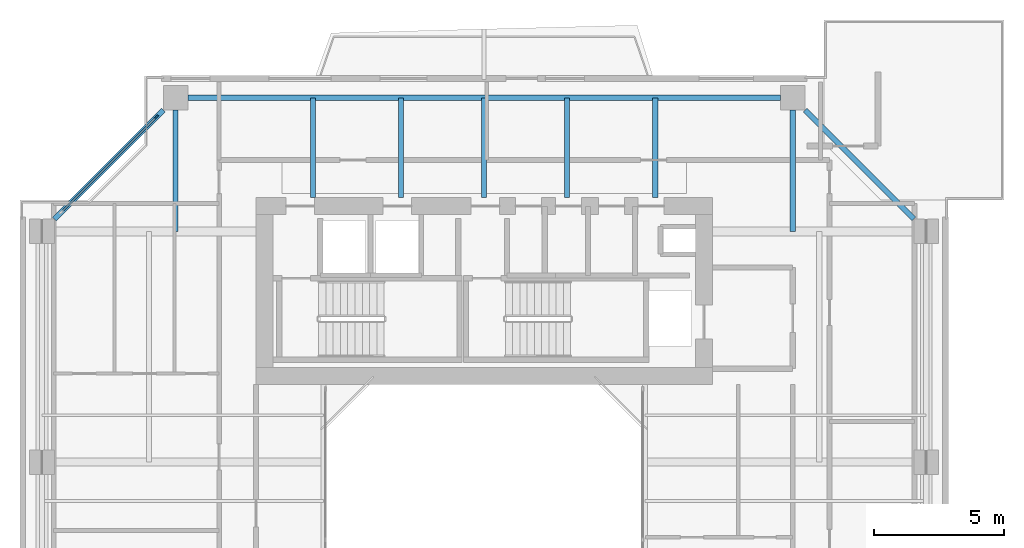
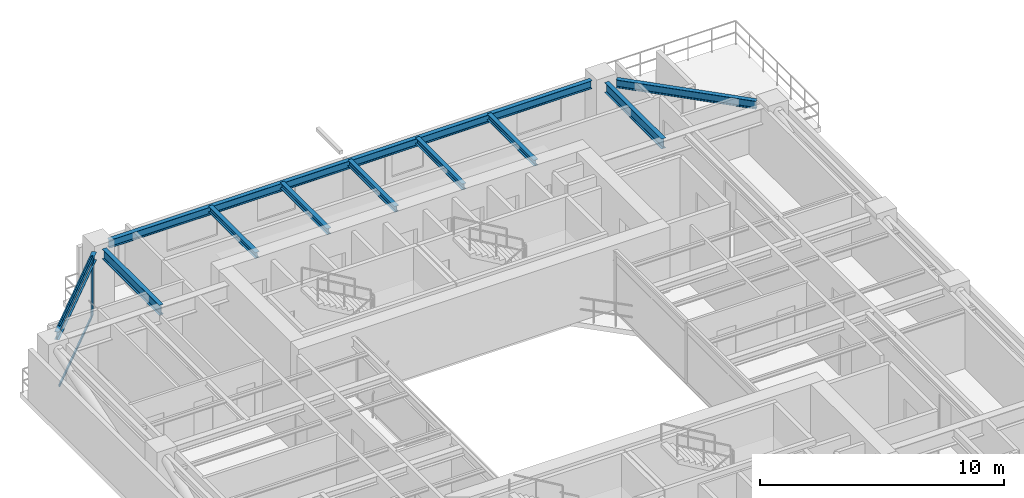
# One storey, part 6 of 14: 10 beams, 3 members, 1 element without a shape of its own.
"""IFC4 building model written with IfcOpenShell, lengths in metres."""

from ifc_helpers import new_model, si_unit, direction, frame, origin, origin_2d, place, context, subcontext, project, spatial, rectangle, i_section, extrude, source, transform, mapped, material, layer, layer_set, material_profile, profile_set, type_object, element, aggregate, save


model = new_model("IFC4")

# Units and contexts
model_context = context("Model", 3, precision=1e-05, world=origin(), true_north=direction((0.0, 1.0)))
body_context = subcontext(model_context, "Body", "Model", "MODEL_VIEW")
ifc_project = project(units=[si_unit("LENGTHUNIT", "METRE"), si_unit("AREAUNIT", "SQUARE_METRE"), si_unit("VOLUMEUNIT", "CUBIC_METRE"), si_unit("PLANEANGLEUNIT", "RADIAN"), si_unit("MASSUNIT", "GRAM", prefix="KILO"), si_unit("THERMODYNAMICTEMPERATUREUNIT", "KELVIN"), si_unit("POWERUNIT", "WATT")], contexts=[model_context])

# Site, building, storey
site_placement = place(None, origin())
site = spatial("IfcSite", under=ifc_project, at=site_placement, CompositionType="ELEMENT")
building_placement = place(site_placement, origin())
building = spatial("IfcBuilding", under=site, at=building_placement, Name="Qiaomeng Ring Towers", CompositionType="ELEMENT")
storey_placement = place(building_placement, frame((0.0, 0.0, 173.0)))
storey = spatial("IfcBuildingStorey", under=building, at=storey_placement, Name="L50", CompositionType="ELEMENT", Elevation=173.0)

# Beams
ifc_material_1 = material(Name="Steel Q355B", Category="steel")
ifc_material_profile_1 = material_profile(ifc_material_1, i_section(OverallWidth=0.199951171875, OverallDepth=0.2939453125, WebThickness=0.008056640625, FlangeThickness=0.011962890625, FilletRadius=0.01806640625, at=origin_2d()), Name="HM 294x200x8x12")
ifc_profile_set_1 = profile_set([ifc_material_profile_1], Name="Steel Q355B")
beam_type_1 = type_object("IfcBeamType", Name="STR-BM-HM294", PredefinedType="JOIST", material=ifc_profile_set_1)
shared_shape_1 = source(origin(), body_context, "Body", "SweptSolid", [
    extrude(i_section(OverallWidth=0.199951171875, OverallDepth=0.2939453125, WebThickness=0.008056640625, FlangeThickness=0.011962890625, FilletRadius=0.01806640625, at=origin_2d()), origin(), (0.0, 0.0, 1.0), 3.85009765625),
])
for number, where, z_axis, x_axis, name in (
    (1, (12.39990234375, 36.199951171875, 2.85302734375), (0.0, 1.0, 0.0), (-1.0, 0.0, 0.0), "L50 beam STR-JST-L50-T1N-1"),
    (2, (15.800048828125, 36.199951171875, 2.85302734375), (0.0, 1.0, 0.0), (-1.0, 0.0, 0.0), "L50 beam STR-JST-L50-T1N-2"),
    (3, (19.0, 36.199951171875, 2.85302734375), (0.0, 1.0, 0.0), (-1.0, 0.0, 0.0), "L50 beam STR-JST-L50-T1N-3"),
    (4, (22.199951171875, 36.199951171875, 2.85302734375), (0.0, 1.0, 0.0), (-1.0, 0.0, 0.0), "L50 beam STR-JST-L50-T1N-4"),
    (5, (25.60009765625, 36.199951171875, 2.85302734375), (0.0, 1.0, 0.0), (-1.0, 0.0, 0.0), "L50 beam STR-JST-L50-T1N-5"),
):
    element("IfcBeam", number, at=place(storey_placement, frame(where, z_axis=z_axis, x_axis=x_axis)), inside=storey, type_object=beam_type_1, Name=name, PredefinedType="JOIST", context=body_context, shape_type="MappedRepresentation", body=[
        mapped(shared_shape_1, transform((0.0, 0.0, 0.0), x_axis=(1.0, 0.0, 0.0), y_axis=(0.0, 1.0, 0.0), z_axis=(0.0, 0.0, 1.0), scale=1.0)),
    ])
ifc_material_profile_2 = material_profile(ifc_material_1, i_section(OverallWidth=0.199951171875, OverallDepth=0.39990234375, WebThickness=0.008056640625, FlangeThickness=0.012939453125, FilletRadius=0.01611328125, at=origin_2d()), Name="HN 400x200x8x13")
ifc_profile_set_2 = profile_set([ifc_material_profile_2], Name="Steel Q355B")
beam_type_2 = type_object("IfcBeamType", Name="STR-BM-HN400", PredefinedType="SPANDREL", material=ifc_profile_set_2)
shared_shape_2 = source(origin(), body_context, "Body", "SweptSolid", [
    extrude(i_section(OverallWidth=0.199951171875, OverallDepth=0.39990234375, WebThickness=0.008056640625, FlangeThickness=0.012939453125, FilletRadius=0.01611328125, at=origin_2d()), origin(), (0.0, 0.0, 1.0), 22.85205078125),
])
beam_placement = place(storey_placement, frame((30.426025390625, 40.050048828125, 2.800048828125), z_axis=(-1.0, 0.0, 0.0), x_axis=(0.0, -1.0, 0.0)))
element("IfcBeam", 6, at=beam_placement, inside=storey, type_object=beam_type_2, Name="L50 beam STR-SP-L50-T1-N2-N1", PredefinedType="SPANDREL", context=body_context, shape_type="MappedRepresentation", body=[
    mapped(shared_shape_2, transform((0.0, 0.0, 0.0), x_axis=(1.0, 0.0, 0.0), y_axis=(0.0, 1.0, 0.0), z_axis=(0.0, 0.0, 1.0), scale=1.0)),
])
shared_shape_3 = source(origin(), body_context, "Body", "SweptSolid", [
    extrude(i_section(OverallWidth=0.199951171875, OverallDepth=0.39990234375, WebThickness=0.008056640625, FlangeThickness=0.012939453125, FilletRadius=0.01611328125, at=origin_2d()), origin(), (0.0, 0.0, 1.0), 5.941650390625),
])
for number, where, z_axis, x_axis, name in (
    (7, (35.57568359375, 35.374267578125, 2.800048828125), (-0.707106781187, 0.707106781187, 0.0), (-0.707106781187, -0.707106781187, 0.0), "L50 beam STR-SP-L50-T1-E4-N2"),
    (8, (6.625732421875, 39.57568359375, 2.800048828125), (-0.707106781187, -0.707106781187, 0.0), (0.707106781187, -0.707106781187, 0.0), "L50 beam STR-SP-L50-T1-N1-W4"),
):
    element("IfcBeam", number, at=place(storey_placement, frame(where, z_axis=z_axis, x_axis=x_axis)), inside=storey, type_object=beam_type_2, Name=name, PredefinedType="SPANDREL", context=body_context, shape_type="MappedRepresentation", body=[
        mapped(shared_shape_3, transform((0.0, 0.0, 0.0), x_axis=(1.0, 0.0, 0.0), y_axis=(0.0, 1.0, 0.0), z_axis=(0.0, 0.0, 1.0), scale=1.0)),
    ])
ifc_material_profile_3 = material_profile(ifc_material_1, i_section(OverallWidth=0.199951171875, OverallDepth=0.5, WebThickness=0.010009765625, FlangeThickness=0.01611328125, FilletRadius=0.02001953125, at=origin_2d()), Name="HN 500x200x10x16")
ifc_profile_set_3 = profile_set([ifc_material_profile_3], Name="Steel Q355B")
beam_type_3 = type_object("IfcBeamType", Name="STR-BM-HN500", PredefinedType="BEAM", material=ifc_profile_set_3)
shared_shape_4 = source(origin(), body_context, "Body", "SweptSolid", [
    extrude(i_section(OverallWidth=0.199951171875, OverallDepth=0.5, WebThickness=0.010009765625, FlangeThickness=0.01611328125, FilletRadius=0.02001953125, at=origin_2d()), origin(), (0.0, 0.0, 1.0), 4.676025390625),
])
for number, where, z_axis, x_axis, name in (
    (9, (7.10009765625, 39.575927734375, 2.75), (0.0, -1.0, 0.0), (1.0, 0.0, 0.0), "L50 beam STR-BM-L50-T1-RAD-N1"),
    (10, (30.89990234375, 39.575927734375, 2.75), (0.0, -1.0, 0.0), (1.0, 0.0, 0.0), "L50 beam STR-BM-L50-T1-RAD-N2"),
):
    element("IfcBeam", number, at=place(storey_placement, frame(where, z_axis=z_axis, x_axis=x_axis)), inside=storey, type_object=beam_type_3, Name=name, PredefinedType="BEAM", context=body_context, shape_type="MappedRepresentation", body=[
        mapped(shared_shape_4, transform((0.0, 0.0, 0.0), x_axis=(1.0, 0.0, 0.0), y_axis=(0.0, 1.0, 0.0), z_axis=(0.0, 0.0, 1.0), scale=1.0)),
    ])

# Curtain wall, members
ifc_material_2 = material(Name="Fluorocarbon dark-grey aluminium", Category="aluminium")
ifc_layer = layer(ifc_material_2, 0.14990234375, Name="Fluorocarbon dark-grey aluminium")
ifc_layer_set = layer_set([ifc_layer], Name="Fluorocarbon dark-grey aluminium")
curtain_wall_type = type_object("IfcCurtainWallType", Name="ARC-CW-3", PredefinedType="NOTDEFINED", material=ifc_layer_set)
curtain_wall_placement = place(storey_placement, origin())
curtain_wall = element("IfcCurtainWall", 11, at=curtain_wall_placement, inside=storey, type_object=curtain_wall_type, Name="L50 Curtain Wall CW3", PredefinedType="NOTDEFINED")
ifc_material_profile_4 = material_profile(ifc_material_2, rectangle(XDim=0.06494140625, YDim=0.1298828125, at=origin_2d()), Name="ALU TRAN 65x130")
ifc_profile_set_4 = profile_set([ifc_material_profile_4], Name="Fluorocarbon dark-grey aluminium")
member_type_1 = type_object("IfcMemberType", Name="ARC-CWT-120", PredefinedType="USERDEFINED", material=ifc_profile_set_4)
shared_shape_5 = source(origin(), body_context, "Body", "SweptSolid", [
    extrude(rectangle(XDim=0.06494140625, YDim=0.1298828125, at=origin_2d()), origin(), (0.0, 0.0, 1.0), 5.12060546875),
])
member_1_placement = place(storey_placement, frame((6.33544921875, 39.285400390625, 0.032470703125), z_axis=(-0.707106781187, -0.707106781187, 0.0), x_axis=(0.707106781187, -0.707106781187, 0.0)))
member_1 = element("IfcMember", 12, at=member_1_placement, type_object=member_type_1, Name="CW3 transom 1.1", ObjectType="TRANSOM", PredefinedType="USERDEFINED", context=body_context, shape_type="MappedRepresentation", body=[
    mapped(shared_shape_5, transform((0.0, 0.0, 0.0), x_axis=(1.0, 0.0, 0.0), y_axis=(0.0, 1.0, 0.0), z_axis=(0.0, 0.0, 1.0), scale=1.0)),
])
member_2_placement = place(storey_placement, frame((6.33544921875, 39.285400390625, 2.967529296875), z_axis=(-0.707106781187, -0.707106781187, 0.0), x_axis=(0.707106781187, -0.707106781187, 0.0)))
member_2 = element("IfcMember", 13, at=member_2_placement, type_object=member_type_1, Name="CW3 transom 1.2", ObjectType="TRANSOM", PredefinedType="USERDEFINED", context=body_context, shape_type="MappedRepresentation", body=[
    mapped(shared_shape_5, transform((0.0, 0.0, 0.0), x_axis=(1.0, 0.0, 0.0), y_axis=(0.0, 1.0, 0.0), z_axis=(0.0, 0.0, 1.0), scale=1.0)),
])
ifc_material_profile_5 = material_profile(ifc_material_2, rectangle(XDim=0.070068359375, YDim=0.179931640625, at=origin_2d()), Name="ALU MULL 70x180")
ifc_profile_set_5 = profile_set([ifc_material_profile_5], Name="Fluorocarbon dark-grey aluminium")
member_type_2 = type_object("IfcMemberType", Name="ARC-CWM-160", PredefinedType="MULLION", material=ifc_profile_set_5)
shared_shape_6 = source(origin(), body_context, "Body", "SweptSolid", [
    extrude(rectangle(XDim=0.070068359375, YDim=0.179931640625, at=origin_2d()), origin(), (0.0, 0.0, 1.0), 3.0),
])
member_3_placement = place(storey_placement, frame((6.3603515625, 39.310302734375, 0.0), z_axis=(0.0, 0.0, 1.0), x_axis=(0.707106781187, -0.707106781187, 0.0)))
member_3 = element("IfcMember", 14, at=member_3_placement, type_object=member_type_2, Name="CW3 mullion 1", PredefinedType="MULLION", context=body_context, shape_type="MappedRepresentation", body=[
    mapped(shared_shape_6, transform((0.0, 0.0, 0.0), x_axis=(1.0, 0.0, 0.0), y_axis=(0.0, 1.0, 0.0), z_axis=(0.0, 0.0, 1.0), scale=1.0)),
])
aggregate(curtain_wall, [member_3, member_1, member_2])

save(model, "model.ifc")
